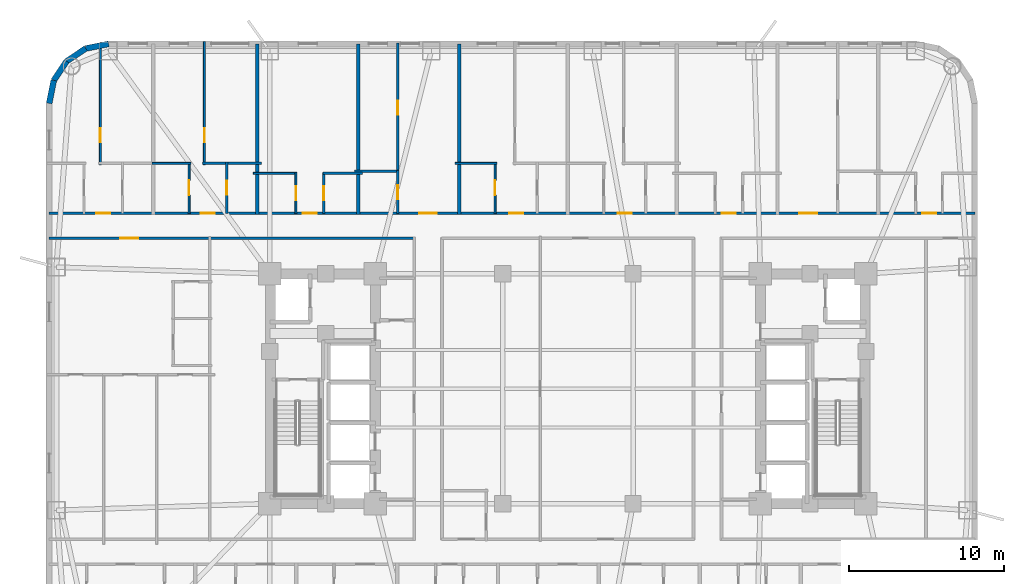
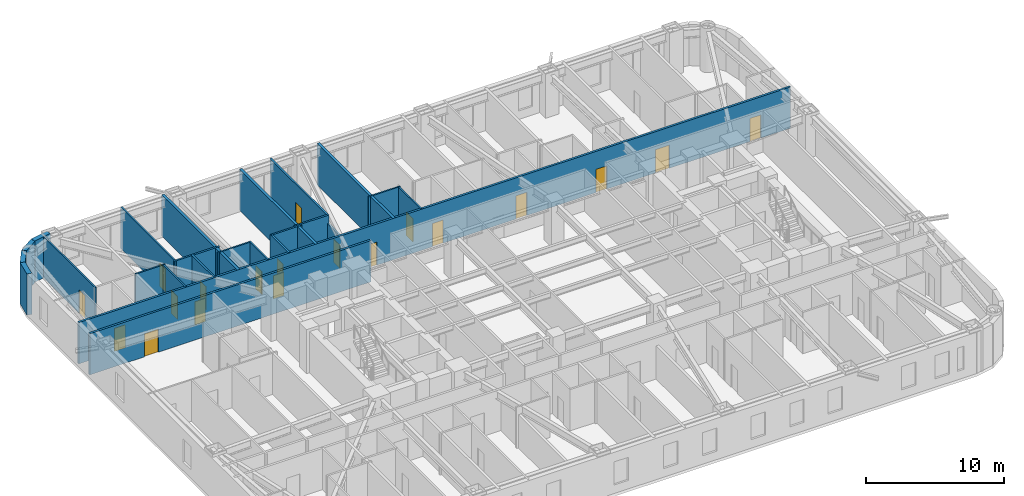
# One storey, part 7 of 11: 24 walls, 19 doors, 19 openings.
"""IFC4 building model written with IfcOpenShell, lengths in metres."""

from ifc_helpers import new_model, si_unit, direction, frame, frame_2d, origin, place, context, subcontext, project, spatial, rectangle, extrude, material, layer, layer_set, type_object, element, fill, save


model = new_model("IFC4")

# Units and contexts
model_context = context("Model", 3, precision=1e-05, world=origin(), true_north=direction((0.0, 1.0)))
body_context = subcontext(model_context, "Body", "Model", "MODEL_VIEW")
ifc_project = project(units=[si_unit("LENGTHUNIT", "METRE"), si_unit("AREAUNIT", "SQUARE_METRE"), si_unit("VOLUMEUNIT", "CUBIC_METRE"), si_unit("PLANEANGLEUNIT", "RADIAN"), si_unit("MASSUNIT", "GRAM", prefix="KILO")], contexts=[model_context])

# Site, building, storey
site_placement = place(None, origin())
site = spatial("IfcSite", under=ifc_project, at=site_placement, CompositionType="ELEMENT")
building_placement = place(site_placement, origin())
building = spatial("IfcBuilding", under=site, at=building_placement, Name="Voryun Gate Residences", CompositionType="ELEMENT")
storey_placement = place(building_placement, frame((0.0, 0.0, 49.39990234375)))
storey = spatial("IfcBuildingStorey", under=building, at=storey_placement, Name="L11", CompositionType="ELEMENT", Elevation=49.39990234375)

# Wall, opening, door
ifc_material_1 = material(Name="Gypsum acoustic fireboard")
ifc_layer_1 = layer(ifc_material_1, 0.179931640625, Name="W_CORR_RATED_180")
ifc_layer_set_1 = layer_set([ifc_layer_1], Name="Gypsum acoustic fireboard")
wall_type_1 = type_object("IfcWallType", Name="W_CORR_RATED_180", PredefinedType="PARTITIONING", material=ifc_layer_set_1)
wall_1_placement = place(storey_placement, frame((-33.409912109375, 9.68994140625, 0.0), z_axis=(0.0, 0.0, 1.0), x_axis=(1.0, 0.0, 0.0)))
wall_1 = element("IfcWall", 1, at=wall_1_placement, inside=storey, type_object=wall_type_1, Name="Partition wall WP-L11-CWING-WN", PredefinedType="PARTITIONING", context=body_context, shape_type="SweptSolid", body=[
    extrude(rectangle(XDim=23.530029296875, YDim=0.179931640625, at=frame_2d((11.76513671875, 0.0))), origin(), (0.0, 0.0, 1.0), 3.650146484375),
])
opening_1_placement = place(wall_1_placement, frame((4.58984375, 0.0, 0.0)))
opening_1 = element("IfcOpeningElement", 2, at=opening_1_placement, cuts=wall_1, Name="Opening D-UNIT-1", PredefinedType="OPENING", context=body_context, shape_type="SweptSolid", body=[
    extrude(rectangle(XDim=1.14990234375, YDim=2.050048828125, at=frame_2d((0.574951171875, 1.02490234375))), frame((0.0, 0.099853515625, 0.0), z_axis=(0.0, -1.0, 0.0), x_axis=(1.0, 0.0, 0.0)), (0.0, 0.0, 1.0), 0.199951171875),
])
ifc_material_2 = material(Name="Armoured timber-clad fire door", Category="wood")
door_type_1 = type_object("IfcDoorType", Name="DR_UNIT_ENTRY_1150", OperationType="NOTDEFINED", PredefinedType="DOOR", material=ifc_material_2)
door_1_placement = place(opening_1_placement, origin())
door_1 = element("IfcDoor", 3, at=door_1_placement, inside=storey, type_object=door_type_1, Name="Door DR-L11-WE1N", OperationType="SINGLE_SWING_LEFT", OverallHeight=2.050048828125, OverallWidth=1.14990234375, PredefinedType="DOOR", context=body_context, shape_type="SweptSolid", body=[
    extrude(rectangle(XDim=1.14990234375, YDim=2.050048828125, at=frame_2d((0.574951171875, 1.02490234375))), frame((0.0, 0.02490234375, 0.0), z_axis=(0.0, -1.0, 0.0), x_axis=(1.0, 0.0, 0.0)), (0.0, 0.0, 1.0), 0.050048828125),
])
fill(opening_1, door_1)

# Wall, openings, doors
wall_2_placement = place(storey_placement, frame((-33.409912109375, 11.300048828125, 0.0), z_axis=(0.0, 0.0, 1.0), x_axis=(1.0, 0.0, 0.0)))
wall_2 = element("IfcWall", 4, at=wall_2_placement, inside=storey, type_object=wall_type_1, Name="Partition wall WP-L11-NCORR", PredefinedType="PARTITIONING", context=body_context, shape_type="SweptSolid", body=[
    extrude(rectangle(XDim=59.619873046875, YDim=0.179931640625, at=frame_2d((29.81005859375, 0.0))), origin(), (0.0, 0.0, 1.0), 3.650146484375),
])
opening_2_placement = place(wall_2_placement, frame((3.03173828125, 0.0, 0.0)))
opening_2 = element("IfcOpeningElement", 5, at=opening_2_placement, cuts=wall_2, Name="Opening D-INT-2", PredefinedType="OPENING", context=body_context, shape_type="SweptSolid", body=[
    extrude(rectangle(XDim=0.89990234375, YDim=2.050048828125, at=frame_2d((0.449951171875, 1.02490234375))), frame((0.0, 0.099853515625, 0.0), z_axis=(0.0, -1.0, 0.0), x_axis=(1.0, 0.0, 0.0)), (0.0, 0.0, 1.0), 0.199951171875),
])
opening_3_placement = place(wall_2_placement, frame((9.768798828125, 0.0, 0.0)))
opening_3 = element("IfcOpeningElement", 6, at=opening_3_placement, cuts=wall_2, Name="Opening D-INT-2", PredefinedType="OPENING", context=body_context, shape_type="SweptSolid", body=[
    extrude(rectangle(XDim=0.89990234375, YDim=2.050048828125, at=frame_2d((0.449951171875, 1.02490234375))), frame((0.0, 0.099853515625, 0.0), z_axis=(0.0, -1.0, 0.0), x_axis=(1.0, 0.0, 0.0)), (0.0, 0.0, 1.0), 0.199951171875),
])
opening_4_placement = place(wall_2_placement, frame((16.339111328125, 0.0, 0.0)))
opening_4 = element("IfcOpeningElement", 7, at=opening_4_placement, cuts=wall_2, Name="Opening D-INT-2", PredefinedType="OPENING", context=body_context, shape_type="SweptSolid", body=[
    extrude(rectangle(XDim=0.89990234375, YDim=2.050048828125, at=frame_2d((0.449951171875, 1.02490234375))), frame((0.0, 0.099853515625, 0.0), z_axis=(0.0, -1.0, 0.0), x_axis=(1.0, 0.0, 0.0)), (0.0, 0.0, 1.0), 0.199951171875),
])
opening_5_placement = place(wall_2_placement, frame((23.827392578125, 0.0, 0.0)))
opening_5 = element("IfcOpeningElement", 8, at=opening_5_placement, cuts=wall_2, Name="Opening D-UNIT-1", PredefinedType="OPENING", context=body_context, shape_type="SweptSolid", body=[
    extrude(rectangle(XDim=1.14990234375, YDim=2.050048828125, at=frame_2d((0.574951171875, 1.02490234375))), frame((0.0, 0.099853515625, 0.0), z_axis=(0.0, -1.0, 0.0), x_axis=(1.0, 0.0, 0.0)), (0.0, 0.0, 1.0), 0.199951171875),
])
opening_6_placement = place(wall_2_placement, frame((29.622314453125, 0.0, 0.0)))
opening_6 = element("IfcOpeningElement", 9, at=opening_6_placement, cuts=wall_2, Name="Opening D-INT-2", PredefinedType="OPENING", context=body_context, shape_type="SweptSolid", body=[
    extrude(rectangle(XDim=0.89990234375, YDim=2.050048828125, at=frame_2d((0.449951171875, 1.02490234375))), frame((0.0, 0.099853515625, 0.0), z_axis=(0.0, -1.0, 0.0), x_axis=(1.0, 0.0, 0.0)), (0.0, 0.0, 1.0), 0.199951171875),
])
opening_7_placement = place(wall_2_placement, frame((36.627685546875, 0.0, 0.0)))
opening_7 = element("IfcOpeningElement", 10, at=opening_7_placement, cuts=wall_2, Name="Opening D-INT-2", PredefinedType="OPENING", context=body_context, shape_type="SweptSolid", body=[
    extrude(rectangle(XDim=0.89990234375, YDim=2.050048828125, at=frame_2d((0.449951171875, 1.02490234375))), frame((0.0, 0.099853515625, 0.0), z_axis=(0.0, -1.0, 0.0), x_axis=(1.0, 0.0, 0.0)), (0.0, 0.0, 1.0), 0.199951171875),
])
opening_8_placement = place(wall_2_placement, frame((43.3349609375, 0.0, 0.0)))
opening_8 = element("IfcOpeningElement", 11, at=opening_8_placement, cuts=wall_2, Name="Opening D-INT-2", PredefinedType="OPENING", context=body_context, shape_type="SweptSolid", body=[
    extrude(rectangle(XDim=0.89990234375, YDim=2.050048828125, at=frame_2d((0.449951171875, 1.02490234375))), frame((0.0, 0.099853515625, 0.0), z_axis=(0.0, -1.0, 0.0), x_axis=(1.0, 0.0, 0.0)), (0.0, 0.0, 1.0), 0.199951171875),
])
opening_9_placement = place(wall_2_placement, frame((48.307373046875, 0.0, 0.0)))
opening_9 = element("IfcOpeningElement", 12, at=opening_9_placement, cuts=wall_2, Name="Opening D-UNIT-1", PredefinedType="OPENING", context=body_context, shape_type="SweptSolid", body=[
    extrude(rectangle(XDim=1.14990234375, YDim=2.050048828125, at=frame_2d((0.574951171875, 1.02490234375))), frame((0.0, 0.099853515625, 0.0), z_axis=(0.0, -1.0, 0.0), x_axis=(1.0, 0.0, 0.0)), (0.0, 0.0, 1.0), 0.199951171875),
])
opening_10_placement = place(wall_2_placement, frame((56.224853515625, 0.0, 0.0)))
opening_10 = element("IfcOpeningElement", 13, at=opening_10_placement, cuts=wall_2, Name="Opening D-INT-2", PredefinedType="OPENING", context=body_context, shape_type="SweptSolid", body=[
    extrude(rectangle(XDim=0.89990234375, YDim=2.050048828125, at=frame_2d((0.449951171875, 1.02490234375))), frame((0.0, 0.099853515625, 0.0), z_axis=(0.0, -1.0, 0.0), x_axis=(1.0, 0.0, 0.0)), (0.0, 0.0, 1.0), 0.199951171875),
])
ifc_material_3 = material(Name="Architectural oak veneer")
door_type_2 = type_object("IfcDoorType", Name="DR_INT_BATH_900", OperationType="NOTDEFINED", PredefinedType="DOOR", material=ifc_material_3)
door_2_placement = place(opening_2_placement, origin())
door_2 = element("IfcDoor", 14, at=door_2_placement, inside=storey, type_object=door_type_2, Name="Door DR-L11-NENT-1", OperationType="SINGLE_SWING_LEFT", OverallHeight=2.050048828125, OverallWidth=0.89990234375, PredefinedType="DOOR", context=body_context, shape_type="SweptSolid", body=[
    extrude(rectangle(XDim=0.89990234375, YDim=2.050048828125, at=frame_2d((0.449951171875, 1.02490234375))), frame((0.0, 0.02490234375, 0.0), z_axis=(0.0, -1.0, 0.0), x_axis=(1.0, 0.0, 0.0)), (0.0, 0.0, 1.0), 0.050048828125),
])
fill(opening_2, door_2)
door_3_placement = place(opening_3_placement, origin())
door_3 = element("IfcDoor", 15, at=door_3_placement, inside=storey, type_object=door_type_2, Name="Door DR-L11-NENT-2", OperationType="SINGLE_SWING_RIGHT", OverallHeight=2.050048828125, OverallWidth=0.89990234375, PredefinedType="DOOR", context=body_context, shape_type="SweptSolid", body=[
    extrude(rectangle(XDim=0.89990234375, YDim=2.050048828125, at=frame_2d((0.449951171875, 1.02490234375))), frame((0.0, 0.02490234375, 0.0), z_axis=(0.0, -1.0, 0.0), x_axis=(1.0, 0.0, 0.0)), (0.0, 0.0, 1.0), 0.050048828125),
])
fill(opening_3, door_3)
door_4_placement = place(opening_4_placement, origin())
door_4 = element("IfcDoor", 16, at=door_4_placement, inside=storey, type_object=door_type_2, Name="Door DR-L11-NENT-3", OperationType="SINGLE_SWING_LEFT", OverallHeight=2.050048828125, OverallWidth=0.89990234375, PredefinedType="DOOR", context=body_context, shape_type="SweptSolid", body=[
    extrude(rectangle(XDim=0.89990234375, YDim=2.050048828125, at=frame_2d((0.449951171875, 1.02490234375))), frame((0.0, 0.02490234375, 0.0), z_axis=(0.0, -1.0, 0.0), x_axis=(1.0, 0.0, 0.0)), (0.0, 0.0, 1.0), 0.050048828125),
])
fill(opening_4, door_4)
door_5_placement = place(opening_6_placement, origin())
door_5 = element("IfcDoor", 17, at=door_5_placement, inside=storey, type_object=door_type_2, Name="Door DR-L11-NENT-5", OperationType="SINGLE_SWING_LEFT", OverallHeight=2.050048828125, OverallWidth=0.89990234375, PredefinedType="DOOR", context=body_context, shape_type="SweptSolid", body=[
    extrude(rectangle(XDim=0.89990234375, YDim=2.050048828125, at=frame_2d((0.449951171875, 1.02490234375))), frame((0.0, 0.02490234375, 0.0), z_axis=(0.0, -1.0, 0.0), x_axis=(1.0, 0.0, 0.0)), (0.0, 0.0, 1.0), 0.050048828125),
])
fill(opening_6, door_5)
door_6_placement = place(opening_7_placement, origin())
door_6 = element("IfcDoor", 18, at=door_6_placement, inside=storey, type_object=door_type_2, Name="Door DR-L11-NENT-6", OperationType="SINGLE_SWING_RIGHT", OverallHeight=2.050048828125, OverallWidth=0.89990234375, PredefinedType="DOOR", context=body_context, shape_type="SweptSolid", body=[
    extrude(rectangle(XDim=0.89990234375, YDim=2.050048828125, at=frame_2d((0.449951171875, 1.02490234375))), frame((0.0, 0.02490234375, 0.0), z_axis=(0.0, -1.0, 0.0), x_axis=(1.0, 0.0, 0.0)), (0.0, 0.0, 1.0), 0.050048828125),
])
fill(opening_7, door_6)
door_7_placement = place(opening_8_placement, origin())
door_7 = element("IfcDoor", 19, at=door_7_placement, inside=storey, type_object=door_type_2, Name="Door DR-L11-NENT-7", OperationType="SINGLE_SWING_LEFT", OverallHeight=2.050048828125, OverallWidth=0.89990234375, PredefinedType="DOOR", context=body_context, shape_type="SweptSolid", body=[
    extrude(rectangle(XDim=0.89990234375, YDim=2.050048828125, at=frame_2d((0.449951171875, 1.02490234375))), frame((0.0, 0.02490234375, 0.0), z_axis=(0.0, -1.0, 0.0), x_axis=(1.0, 0.0, 0.0)), (0.0, 0.0, 1.0), 0.050048828125),
])
fill(opening_8, door_7)
door_8_placement = place(opening_10_placement, origin())
door_8 = element("IfcDoor", 20, at=door_8_placement, inside=storey, type_object=door_type_2, Name="Door DR-L11-NENT-9", OperationType="SINGLE_SWING_LEFT", OverallHeight=2.050048828125, OverallWidth=0.89990234375, PredefinedType="DOOR", context=body_context, shape_type="SweptSolid", body=[
    extrude(rectangle(XDim=0.89990234375, YDim=2.050048828125, at=frame_2d((0.449951171875, 1.02490234375))), frame((0.0, 0.02490234375, 0.0), z_axis=(0.0, -1.0, 0.0), x_axis=(1.0, 0.0, 0.0)), (0.0, 0.0, 1.0), 0.050048828125),
])
fill(opening_10, door_8)
door_9_placement = place(opening_5_placement, origin())
door_9 = element("IfcDoor", 21, at=door_9_placement, inside=storey, type_object=door_type_1, Name="Door DR-L11-NENT-4", OperationType="SINGLE_SWING_RIGHT", OverallHeight=2.050048828125, OverallWidth=1.14990234375, PredefinedType="DOOR", context=body_context, shape_type="SweptSolid", body=[
    extrude(rectangle(XDim=1.14990234375, YDim=2.050048828125, at=frame_2d((0.574951171875, 1.02490234375))), frame((0.0, 0.02490234375, 0.0), z_axis=(0.0, -1.0, 0.0), x_axis=(1.0, 0.0, 0.0)), (0.0, 0.0, 1.0), 0.050048828125),
])
fill(opening_5, door_9)
door_10_placement = place(opening_9_placement, origin())
door_10 = element("IfcDoor", 22, at=door_10_placement, inside=storey, type_object=door_type_1, Name="Door DR-L11-NENT-8", OperationType="SINGLE_SWING_RIGHT", OverallHeight=2.050048828125, OverallWidth=1.14990234375, PredefinedType="DOOR", context=body_context, shape_type="SweptSolid", body=[
    extrude(rectangle(XDim=1.14990234375, YDim=2.050048828125, at=frame_2d((0.574951171875, 1.02490234375))), frame((0.0, 0.02490234375, 0.0), z_axis=(0.0, -1.0, 0.0), x_axis=(1.0, 0.0, 0.0)), (0.0, 0.0, 1.0), 0.050048828125),
])
fill(opening_9, door_10)

# Walls
ifc_material_4 = material(Name="Granite masonry", Category="masonry")
ifc_layer_2 = layer(ifc_material_4, 0.3798828125, Name="W_EXT_GRANITE_380")
ifc_layer_set_2 = layer_set([ifc_layer_2], Name="Granite masonry")
wall_type_2 = type_object("IfcWallType", Name="W_EXT_GRANITE_380", PredefinedType="ELEMENTEDWALL", material=ifc_layer_set_2)
wall_3_placement = place(storey_placement, frame((-33.409912109375, 18.38134765625, 0.0), z_axis=(0.0, 0.0, 1.0), x_axis=(0.195086038585, 0.980786132421, 0.0)))
element("IfcWall", 23, at=wall_3_placement, inside=storey, type_object=wall_type_2, Name="Exterior wall WEXT-L11-07", PredefinedType="ELEMENTEDWALL", context=body_context, shape_type="SweptSolid", body=[
    extrude(rectangle(XDim=1.504150390625, YDim=0.3798828125, at=frame_2d((0.751953125, 0.0))), origin(), (0.0, 0.0, 1.0), 3.650146484375),
])
wall_4_placement = place(storey_placement, frame((-33.116455078125, 19.856689453125, 0.0), z_axis=(0.0, 0.0, 1.0), x_axis=(0.555572577804, 0.831468045563, 0.0)))
element("IfcWall", 24, at=wall_4_placement, inside=storey, type_object=wall_type_2, Name="Exterior wall WEXT-L11-08", PredefinedType="ELEMENTEDWALL", context=body_context, shape_type="SweptSolid", body=[
    extrude(rectangle(XDim=1.48486328125, YDim=0.3798828125, at=frame_2d((0.742431640625, 0.0))), origin(), (0.0, 0.0, 1.0), 3.650146484375),
])
wall_5_placement = place(storey_placement, frame((-32.29150390625, 21.09130859375, 0.0), z_axis=(0.0, 0.0, 1.0), x_axis=(0.831442848281, 0.555610286119, 0.0)))
element("IfcWall", 25, at=wall_5_placement, inside=storey, type_object=wall_type_2, Name="Exterior wall WEXT-L11-09", PredefinedType="ELEMENTEDWALL", context=body_context, shape_type="SweptSolid", body=[
    extrude(rectangle(XDim=1.485107421875, YDim=0.3798828125, at=frame_2d((0.74267578125, 0.0))), origin(), (0.0, 0.0, 1.0), 3.650146484375),
])
wall_6_placement = place(storey_placement, frame((-31.056640625, 21.91650390625, 0.0), z_axis=(0.0, 0.0, 1.0), x_axis=(0.980786132421, 0.195086038585, 0.0)))
element("IfcWall", 26, at=wall_6_placement, inside=storey, type_object=wall_type_2, Name="Exterior wall WEXT-L11-10", PredefinedType="ELEMENTEDWALL", context=body_context, shape_type="SweptSolid", body=[
    extrude(rectangle(XDim=1.504150390625, YDim=0.3798828125, at=frame_2d((0.751953125, 0.0))), origin(), (0.0, 0.0, 1.0), 3.650146484375),
])
ifc_material_5 = material(Name="Concrete C40/50", Category="concrete")
ifc_layer_3 = layer(ifc_material_5, 0.219970703125, Name="W_PARTY_ACOUSTIC_220")
ifc_layer_set_3 = layer_set([ifc_layer_3], Name="Concrete C40/50")
wall_type_3 = type_object("IfcWallType", Name="W_PARTY_ACOUSTIC_220", PredefinedType="PARTITIONING", material=ifc_layer_set_3)
for number, where, z_axis, x_axis, name in (
    (27, (-20.0, 11.219970703125, 0.0), (0.0, 0.0, 1.0), (0.0, 1.0, 0.0), "Partition wall WP-L11-NPTY-2"),
    (28, (-13.5, 11.219970703125, 0.0), (0.0, 0.0, 1.0), (0.0, 1.0, 0.0), "Partition wall WP-L11-NPTY-3"),
    (29, (-7.0, 11.219970703125, 0.0), (0.0, 0.0, 1.0), (0.0, 1.0, 0.0), "Partition wall WP-L11-NPTY-4"),
):
    element("IfcWall", number, at=place(storey_placement, frame(where, z_axis=z_axis, x_axis=x_axis)), inside=storey, type_object=wall_type_3, Name=name, PredefinedType="PARTITIONING", context=body_context, shape_type="SweptSolid", body=[
        extrude(rectangle(XDim=10.989990234375, YDim=0.219970703125, at=frame_2d((5.4951171875, 0.0))), origin(), (0.0, 0.0, 1.0), 3.650146484375),
    ])

# Wall, opening, door
ifc_material_6 = material(Name="Gypsum acoustic partition")
ifc_layer_4 = layer(ifc_material_6, 0.125, Name="W_UNIT_PART_125")
ifc_layer_set_4 = layer_set([ifc_layer_4], Name="Gypsum acoustic partition")
wall_type_4 = type_object("IfcWallType", Name="W_UNIT_PART_125", PredefinedType="PARTITIONING", material=ifc_layer_set_4)
wall_7_placement = place(storey_placement, frame((-30.118896484375, 14.43994140625, 0.0), z_axis=(0.0, 0.0, 1.0), x_axis=(0.0, 1.0, 0.0)))
wall_7 = element("IfcWall", 30, at=wall_7_placement, inside=storey, type_object=wall_type_4, Name="Partition wall WP-L11-N1-OVR", PredefinedType="PARTITIONING", context=body_context, shape_type="SweptSolid", body=[
    extrude(rectangle(XDim=7.816162109375, YDim=0.125, at=frame_2d((3.908203125, 0.0))), origin(), (0.0, 0.0, 1.0), 3.650146484375),
])
opening_11_placement = place(wall_7_placement, frame((1.42578125, 0.0, 0.0)))
opening_11 = element("IfcOpeningElement", 31, at=opening_11_placement, cuts=wall_7, Name="Opening D-INT-2", PredefinedType="OPENING", context=body_context, shape_type="SweptSolid", body=[
    extrude(rectangle(XDim=0.89990234375, YDim=2.050048828125, at=frame_2d((0.449951171875, 1.02490234375))), frame((0.0, 0.072509765625, 0.0), z_axis=(0.0, -1.0, 0.0), x_axis=(1.0, 0.0, 0.0)), (0.0, 0.0, 1.0), 0.14501953125),
])
door_11_placement = place(opening_11_placement, origin())
door_11 = element("IfcDoor", 32, at=door_11_placement, inside=storey, type_object=door_type_2, Name="Door DR-L11-N1-DMB", OperationType="SINGLE_SWING_RIGHT", OverallHeight=2.050048828125, OverallWidth=0.89990234375, PredefinedType="DOOR", context=body_context, shape_type="SweptSolid", body=[
    extrude(rectangle(XDim=0.89990234375, YDim=2.050048828125, at=frame_2d((0.449951171875, 1.02490234375))), frame((0.0, 0.02490234375, 0.0), z_axis=(0.0, -1.0, 0.0), x_axis=(1.0, 0.0, 0.0)), (0.0, 0.0, 1.0), 0.050048828125),
])
fill(opening_11, door_11)

wall_8_placement = place(storey_placement, frame((-23.409912109375, 14.43994140625, 0.0), z_axis=(0.0, 0.0, 1.0), x_axis=(0.0, 1.0, 0.0)))
wall_8 = element("IfcWall", 33, at=wall_8_placement, inside=storey, type_object=wall_type_4, Name="Partition wall WP-L11-N2-OVR", PredefinedType="PARTITIONING", context=body_context, shape_type="SweptSolid", body=[
    extrude(rectangle(XDim=7.920166015625, YDim=0.125, at=frame_2d((3.9599609375, 0.0))), origin(), (0.0, 0.0, 1.0), 3.650146484375),
])
opening_12_placement = place(wall_8_placement, frame((1.45068359375, 0.0, 0.0)))
opening_12 = element("IfcOpeningElement", 34, at=opening_12_placement, cuts=wall_8, Name="Opening D-INT-2", PredefinedType="OPENING", context=body_context, shape_type="SweptSolid", body=[
    extrude(rectangle(XDim=0.89990234375, YDim=2.050048828125, at=frame_2d((0.449951171875, 1.02490234375))), frame((0.0, 0.072509765625, 0.0), z_axis=(0.0, -1.0, 0.0), x_axis=(1.0, 0.0, 0.0)), (0.0, 0.0, 1.0), 0.14501953125),
])
door_12_placement = place(opening_12_placement, origin())
door_12 = element("IfcDoor", 35, at=door_12_placement, inside=storey, type_object=door_type_2, Name="Door DR-L11-N2-DMB", OperationType="SINGLE_SWING_RIGHT", OverallHeight=2.050048828125, OverallWidth=0.89990234375, PredefinedType="DOOR", context=body_context, shape_type="SweptSolid", body=[
    extrude(rectangle(XDim=0.89990234375, YDim=2.050048828125, at=frame_2d((0.449951171875, 1.02490234375))), frame((0.0, 0.02490234375, 0.0), z_axis=(0.0, -1.0, 0.0), x_axis=(1.0, 0.0, 0.0)), (0.0, 0.0, 1.0), 0.050048828125),
])
fill(opening_12, door_12)

wall_9_placement = place(storey_placement, frame((-24.39892578125, 11.280029296875, 0.0), z_axis=(0.0, 0.0, 1.0), x_axis=(0.0, 1.0, 0.0)))
wall_9 = element("IfcWall", 36, at=wall_9_placement, inside=storey, type_object=wall_type_4, Name="Partition wall WP-L11-N2-IVK", PredefinedType="PARTITIONING", context=body_context, shape_type="SweptSolid", body=[
    extrude(rectangle(XDim=3.320068359375, YDim=0.125, at=frame_2d((1.66015625, 0.0))), origin(), (0.0, 0.0, 1.0), 3.650146484375),
])
opening_13_placement = place(wall_9_placement, frame((1.18505859375, 0.0, 0.0)))
opening_13 = element("IfcOpeningElement", 37, at=opening_13_placement, cuts=wall_9, Name="Opening D-INT-1", PredefinedType="OPENING", context=body_context, shape_type="SweptSolid", body=[
    extrude(rectangle(XDim=0.949951171875, YDim=2.050048828125, at=frame_2d((0.47509765625, 1.02490234375))), frame((0.0, 0.072509765625, 0.0), z_axis=(0.0, -1.0, 0.0), x_axis=(1.0, 0.0, 0.0)), (0.0, 0.0, 1.0), 0.14501953125),
])
ifc_material_7 = material(Name="Architectural oak veneer")
door_type_3 = type_object("IfcDoorType", Name="DR_INT_ROOM_950", OperationType="NOTDEFINED", PredefinedType="DOOR", material=ifc_material_7)
door_13_placement = place(opening_13_placement, origin())
door_13 = element("IfcDoor", 38, at=door_13_placement, inside=storey, type_object=door_type_3, Name="Door DR-L11-N2-DK", OperationType="SINGLE_SWING_LEFT", OverallHeight=2.050048828125, OverallWidth=0.949951171875, PredefinedType="DOOR", context=body_context, shape_type="SweptSolid", body=[
    extrude(rectangle(XDim=0.949951171875, YDim=2.050048828125, at=frame_2d((0.47509765625, 1.02490234375))), frame((0.0, 0.02490234375, 0.0), z_axis=(0.0, -1.0, 0.0), x_axis=(1.0, 0.0, 0.0)), (0.0, 0.0, 1.0), 0.050048828125),
])
fill(opening_13, door_13)

# Wall
wall_10_placement = place(storey_placement, frame((-26.783935546875, 14.52001953125, 0.0), z_axis=(0.0, 0.0, 1.0), x_axis=(1.0, 0.0, 0.0)))
element("IfcWall", 39, at=wall_10_placement, inside=storey, type_object=wall_type_4, Name="Partition wall WP-L11-N2-HZK", PredefinedType="PARTITIONING", context=body_context, shape_type="SweptSolid", body=[
    extrude(rectangle(XDim=2.5048828125, YDim=0.125, at=frame_2d((1.25244140625, 0.0))), origin(), (0.0, 0.0, 1.0), 3.650146484375),
])

# Wall, opening, door
wall_11_placement = place(storey_placement, frame((-17.51611328125, 11.280029296875, 0.0), z_axis=(0.0, 0.0, 1.0), x_axis=(0.0, 1.0, 0.0)))
wall_11 = element("IfcWall", 40, at=wall_11_placement, inside=storey, type_object=wall_type_4, Name="Partition wall WP-L11-N3-CVK", PredefinedType="PARTITIONING", context=body_context, shape_type="SweptSolid", body=[
    extrude(rectangle(XDim=2.64990234375, YDim=0.125, at=frame_2d((1.324951171875, 0.0))), origin(), (0.0, 0.0, 1.0), 3.650146484375),
])
opening_14_placement = place(wall_11_placement, frame((0.875, 0.0, 0.0)))
opening_14 = element("IfcOpeningElement", 41, at=opening_14_placement, cuts=wall_11, Name="Opening D-INT-2", PredefinedType="OPENING", context=body_context, shape_type="SweptSolid", body=[
    extrude(rectangle(XDim=0.89990234375, YDim=2.050048828125, at=frame_2d((0.449951171875, 1.02490234375))), frame((0.0, 0.072509765625, 0.0), z_axis=(0.0, -1.0, 0.0), x_axis=(1.0, 0.0, 0.0)), (0.0, 0.0, 1.0), 0.14501953125),
])
door_14_placement = place(opening_14_placement, origin())
door_14 = element("IfcDoor", 42, at=door_14_placement, inside=storey, type_object=door_type_2, Name="Door DR-L11-N3-DK", OperationType="SINGLE_SWING_LEFT", OverallHeight=2.050048828125, OverallWidth=0.89990234375, PredefinedType="DOOR", context=body_context, shape_type="SweptSolid", body=[
    extrude(rectangle(XDim=0.89990234375, YDim=2.050048828125, at=frame_2d((0.449951171875, 1.02490234375))), frame((0.0, 0.02490234375, 0.0), z_axis=(0.0, -1.0, 0.0), x_axis=(1.0, 0.0, 0.0)), (0.0, 0.0, 1.0), 0.050048828125),
])
fill(opening_14, door_14)

# Wall
wall_12_placement = place(storey_placement, frame((-20.260009765625, 13.8701171875, 0.0), z_axis=(0.0, 0.0, 1.0), x_axis=(1.0, 0.0, 0.0)))
element("IfcWall", 43, at=wall_12_placement, inside=storey, type_object=wall_type_4, Name="Partition wall WP-L11-N3-CHK", PredefinedType="PARTITIONING", context=body_context, shape_type="SweptSolid", body=[
    extrude(rectangle(XDim=2.803955078125, YDim=0.125, at=frame_2d((1.40185546875, 0.0))), origin(), (0.0, 0.0, 1.0), 3.650146484375),
])

# Wall, opening, door
wall_13_placement = place(storey_placement, frame((-4.68994140625, 11.280029296875, 0.0), z_axis=(0.0, 0.0, 1.0), x_axis=(0.0, 1.0, 0.0)))
wall_13 = element("IfcWall", 44, at=wall_13_placement, inside=storey, type_object=wall_type_4, Name="Partition wall WP-L11-N5-IVK", PredefinedType="PARTITIONING", context=body_context, shape_type="SweptSolid", body=[
    extrude(rectangle(XDim=3.320068359375, YDim=0.125, at=frame_2d((1.66015625, 0.0))), origin(), (0.0, 0.0, 1.0), 3.650146484375),
])
opening_15_placement = place(wall_13_placement, frame((1.18505859375, 0.0, 0.0)))
opening_15 = element("IfcOpeningElement", 45, at=opening_15_placement, cuts=wall_13, Name="Opening D-INT-1", PredefinedType="OPENING", context=body_context, shape_type="SweptSolid", body=[
    extrude(rectangle(XDim=0.949951171875, YDim=2.050048828125, at=frame_2d((0.47509765625, 1.02490234375))), frame((0.0, 0.072509765625, 0.0), z_axis=(0.0, -1.0, 0.0), x_axis=(1.0, 0.0, 0.0)), (0.0, 0.0, 1.0), 0.14501953125),
])
door_15_placement = place(opening_15_placement, origin())
door_15 = element("IfcDoor", 46, at=door_15_placement, inside=storey, type_object=door_type_3, Name="Door DR-L11-N5-DK", OperationType="SINGLE_SWING_LEFT", OverallHeight=2.050048828125, OverallWidth=0.949951171875, PredefinedType="DOOR", context=body_context, shape_type="SweptSolid", body=[
    extrude(rectangle(XDim=0.949951171875, YDim=2.050048828125, at=frame_2d((0.47509765625, 1.02490234375))), frame((0.0, 0.02490234375, 0.0), z_axis=(0.0, -1.0, 0.0), x_axis=(1.0, 0.0, 0.0)), (0.0, 0.0, 1.0), 0.050048828125),
])
fill(opening_15, door_15)

# Walls
wall_14_placement = place(storey_placement, frame((-7.260009765625, 14.52001953125, 0.0), z_axis=(0.0, 0.0, 1.0), x_axis=(1.0, 0.0, 0.0)))
element("IfcWall", 47, at=wall_14_placement, inside=storey, type_object=wall_type_4, Name="Partition wall WP-L11-N5-HZK", PredefinedType="PARTITIONING", context=body_context, shape_type="SweptSolid", body=[
    extrude(rectangle(XDim=2.68994140625, YDim=0.125, at=frame_2d((1.344970703125, 0.0))), origin(), (0.0, 0.0, 1.0), 3.650146484375),
])
ifc_material_8 = material(Name="Gypsum moisture-resistant partition")
ifc_layer_5 = layer(ifc_material_8, 0.14990234375, Name="W_WET_PLUMB_150")
ifc_layer_set_5 = layer_set([ifc_layer_5], Name="Gypsum moisture-resistant partition")
wall_type_5 = type_object("IfcWallType", Name="W_WET_PLUMB_150", PredefinedType="PLUMBINGWALL", material=ifc_layer_set_5)
wall_15_placement = place(storey_placement, frame((-23.530029296875, 14.52001953125, 0.0), z_axis=(0.0, 0.0, 1.0), x_axis=(1.0, 0.0, 0.0)))
element("IfcWall", 48, at=wall_15_placement, inside=storey, type_object=wall_type_5, Name="Partition wall WP-L11-N2-HZB", PredefinedType="PLUMBINGWALL", context=body_context, shape_type="SweptSolid", body=[
    extrude(rectangle(XDim=3.7900390625, YDim=0.14990234375, at=frame_2d((1.89501953125, 0.0))), origin(), (0.0, 0.0, 1.0), 3.650146484375),
])

# Wall, opening, door
wall_16_placement = place(storey_placement, frame((-21.97998046875, 11.280029296875, 0.0), z_axis=(0.0, 0.0, 1.0), x_axis=(0.0, 1.0, 0.0)))
wall_16 = element("IfcWall", 49, at=wall_16_placement, inside=storey, type_object=wall_type_5, Name="Partition wall WP-L11-N2-IVB", PredefinedType="PLUMBINGWALL", context=body_context, shape_type="SweptSolid", body=[
    extrude(rectangle(XDim=3.320068359375, YDim=0.14990234375, at=frame_2d((1.66015625, 0.0))), origin(), (0.0, 0.0, 1.0), 3.650146484375),
])
opening_16_placement = place(wall_16_placement, frame((1.2099609375, 0.0, 0.0)))
opening_16 = element("IfcOpeningElement", 50, at=opening_16_placement, cuts=wall_16, Name="Opening D-INT-2", PredefinedType="OPENING", context=body_context, shape_type="SweptSolid", body=[
    extrude(rectangle(XDim=0.89990234375, YDim=2.050048828125, at=frame_2d((0.449951171875, 1.02490234375))), frame((0.0, 0.0849609375, 0.0), z_axis=(0.0, -1.0, 0.0), x_axis=(1.0, 0.0, 0.0)), (0.0, 0.0, 1.0), 0.169921875),
])
door_16_placement = place(opening_16_placement, origin())
door_16 = element("IfcDoor", 51, at=door_16_placement, inside=storey, type_object=door_type_2, Name="Door DR-L11-N2-DB", OperationType="SINGLE_SWING_RIGHT", OverallHeight=2.050048828125, OverallWidth=0.89990234375, PredefinedType="DOOR", context=body_context, shape_type="SweptSolid", body=[
    extrude(rectangle(XDim=0.89990234375, YDim=2.050048828125, at=frame_2d((0.449951171875, 1.02490234375))), frame((0.0, 0.02490234375, 0.0), z_axis=(0.0, -1.0, 0.0), x_axis=(1.0, 0.0, 0.0)), (0.0, 0.0, 1.0), 0.050048828125),
])
fill(opening_16, door_16)

wall_17_placement = place(storey_placement, frame((-15.72900390625, 11.280029296875, 0.0), z_axis=(0.0, 0.0, 1.0), x_axis=(0.0, 1.0, 0.0)))
wall_17 = element("IfcWall", 52, at=wall_17_placement, inside=storey, type_object=wall_type_5, Name="Partition wall WP-L11-N3-CVB", PredefinedType="PLUMBINGWALL", context=body_context, shape_type="SweptSolid", body=[
    extrude(rectangle(XDim=2.64990234375, YDim=0.14990234375, at=frame_2d((1.324951171875, 0.0))), origin(), (0.0, 0.0, 1.0), 3.650146484375),
])
opening_17_placement = place(wall_17_placement, frame((0.875, 0.0, 0.0)))
opening_17 = element("IfcOpeningElement", 53, at=opening_17_placement, cuts=wall_17, Name="Opening D-INT-2", PredefinedType="OPENING", context=body_context, shape_type="SweptSolid", body=[
    extrude(rectangle(XDim=0.89990234375, YDim=2.050048828125, at=frame_2d((0.449951171875, 1.02490234375))), frame((0.0, 0.0849609375, 0.0), z_axis=(0.0, -1.0, 0.0), x_axis=(1.0, 0.0, 0.0)), (0.0, 0.0, 1.0), 0.169921875),
])
door_17_placement = place(opening_17_placement, origin())
door_17 = element("IfcDoor", 54, at=door_17_placement, inside=storey, type_object=door_type_2, Name="Door DR-L11-N3-DB", OperationType="SINGLE_SWING_RIGHT", OverallHeight=2.050048828125, OverallWidth=0.89990234375, PredefinedType="DOOR", context=body_context, shape_type="SweptSolid", body=[
    extrude(rectangle(XDim=0.89990234375, YDim=2.050048828125, at=frame_2d((0.449951171875, 1.02490234375))), frame((0.0, 0.02490234375, 0.0), z_axis=(0.0, -1.0, 0.0), x_axis=(1.0, 0.0, 0.0)), (0.0, 0.0, 1.0), 0.050048828125),
])
fill(opening_17, door_17)

# Walls
wall_18_placement = place(storey_placement, frame((-15.7890625, 13.8701171875, 0.0), z_axis=(0.0, 0.0, 1.0), x_axis=(1.0, 0.0, 0.0)))
element("IfcWall", 55, at=wall_18_placement, inside=storey, type_object=wall_type_5, Name="Partition wall WP-L11-N3-CHB", PredefinedType="PLUMBINGWALL", context=body_context, shape_type="SweptSolid", body=[
    extrude(rectangle(XDim=2.549072265625, YDim=0.14990234375, at=frame_2d((1.2744140625, 0.0))), origin(), (0.0, 0.0, 1.0), 3.650146484375),
])
wall_19_placement = place(storey_placement, frame((-13.760009765625, 14.0, 0.0), z_axis=(0.0, 0.0, 1.0), x_axis=(1.0, 0.0, 0.0)))
element("IfcWall", 56, at=wall_19_placement, inside=storey, type_object=wall_type_5, Name="Partition wall WP-L11-N4-SKB", PredefinedType="PLUMBINGWALL", context=body_context, shape_type="SweptSolid", body=[
    extrude(rectangle(XDim=2.887939453125, YDim=0.14990234375, at=frame_2d((1.44384765625, 0.0))), origin(), (0.0, 0.0, 1.0), 3.650146484375),
])

# Wall, opening, door
wall_20_placement = place(storey_placement, frame((-10.951904296875, 11.280029296875, 0.0), z_axis=(0.0, 0.0, 1.0), x_axis=(0.0, 1.0, 0.0)))
wall_20 = element("IfcWall", 57, at=wall_20_placement, inside=storey, type_object=wall_type_5, Name="Partition wall WP-L11-N4-SVT1", PredefinedType="PLUMBINGWALL", context=body_context, shape_type="SweptSolid", body=[
    extrude(rectangle(XDim=2.760009765625, YDim=0.14990234375, at=frame_2d((1.3798828125, 0.0))), origin(), (0.0, 0.0, 1.0), 2.940185546875),
])
opening_18_placement = place(wall_20_placement, frame((0.929931640625, 0.0, 0.0)))
opening_18 = element("IfcOpeningElement", 58, at=opening_18_placement, cuts=wall_20, Name="Opening D-INT-2", PredefinedType="OPENING", context=body_context, shape_type="SweptSolid", body=[
    extrude(rectangle(XDim=0.89990234375, YDim=2.050048828125, at=frame_2d((0.449951171875, 1.02490234375))), frame((0.0, 0.0849609375, 0.0), z_axis=(0.0, -1.0, 0.0), x_axis=(1.0, 0.0, 0.0)), (0.0, 0.0, 1.0), 0.169921875),
])
door_18_placement = place(opening_18_placement, origin())
door_18 = element("IfcDoor", 59, at=door_18_placement, inside=storey, type_object=door_type_2, Name="Door DR-L11-N4-DB", OperationType="SINGLE_SWING_LEFT", OverallHeight=2.050048828125, OverallWidth=0.89990234375, PredefinedType="DOOR", context=body_context, shape_type="SweptSolid", body=[
    extrude(rectangle(XDim=0.89990234375, YDim=2.050048828125, at=frame_2d((0.449951171875, 1.02490234375))), frame((0.0, 0.02490234375, 0.0), z_axis=(0.0, -1.0, 0.0), x_axis=(1.0, 0.0, 0.0)), (0.0, 0.0, 1.0), 0.050048828125),
])
fill(opening_18, door_18)

wall_21_placement = place(storey_placement, frame((-10.951904296875, 13.9599609375, 0.0), z_axis=(0.0, 0.0, 1.0), x_axis=(0.0, 1.0, 0.0)))
wall_21 = element("IfcWall", 60, at=wall_21_placement, inside=storey, type_object=wall_type_5, Name="Partition wall WP-L11-N4-SVT2", PredefinedType="PLUMBINGWALL", context=body_context, shape_type="SweptSolid", body=[
    extrude(rectangle(XDim=8.297607421875, YDim=0.14990234375, at=frame_2d((4.14892578125, 0.0))), origin(), (0.0, 0.0, 1.0), 3.650146484375),
])
opening_19_placement = place(wall_21_placement, frame((3.69873046875, 0.0, 0.0)))
opening_19 = element("IfcOpeningElement", 61, at=opening_19_placement, cuts=wall_21, Name="Opening D-INT-2", PredefinedType="OPENING", context=body_context, shape_type="SweptSolid", body=[
    extrude(rectangle(XDim=0.89990234375, YDim=2.050048828125, at=frame_2d((0.449951171875, 1.02490234375))), frame((0.0, 0.0849609375, 0.0), z_axis=(0.0, -1.0, 0.0), x_axis=(1.0, 0.0, 0.0)), (0.0, 0.0, 1.0), 0.169921875),
])
door_19_placement = place(opening_19_placement, origin())
door_19 = element("IfcDoor", 62, at=door_19_placement, inside=storey, type_object=door_type_2, Name="Door DR-L11-N4-DK", OperationType="SINGLE_SWING_RIGHT", OverallHeight=2.050048828125, OverallWidth=0.89990234375, PredefinedType="DOOR", context=body_context, shape_type="SweptSolid", body=[
    extrude(rectangle(XDim=0.89990234375, YDim=2.050048828125, at=frame_2d((0.449951171875, 1.02490234375))), frame((0.0, 0.02490234375, 0.0), z_axis=(0.0, -1.0, 0.0), x_axis=(1.0, 0.0, 0.0)), (0.0, 0.0, 1.0), 0.050048828125),
])
fill(opening_19, door_19)

save(model, "model.ifc")
